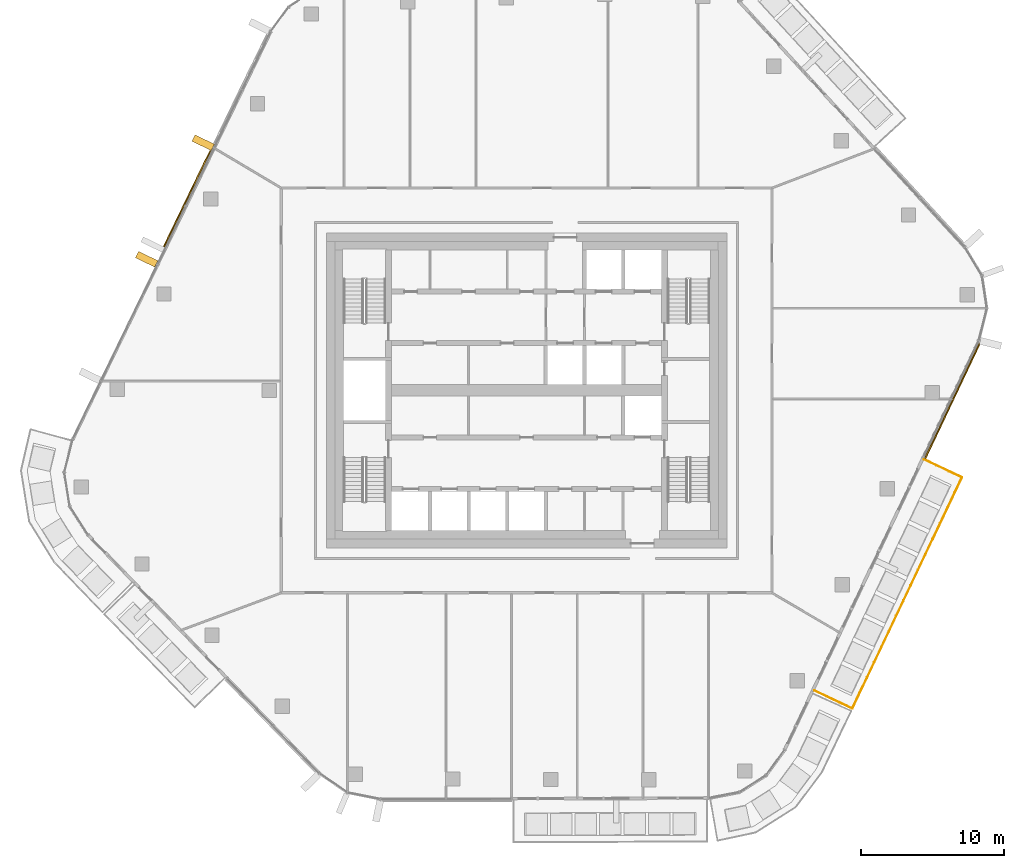
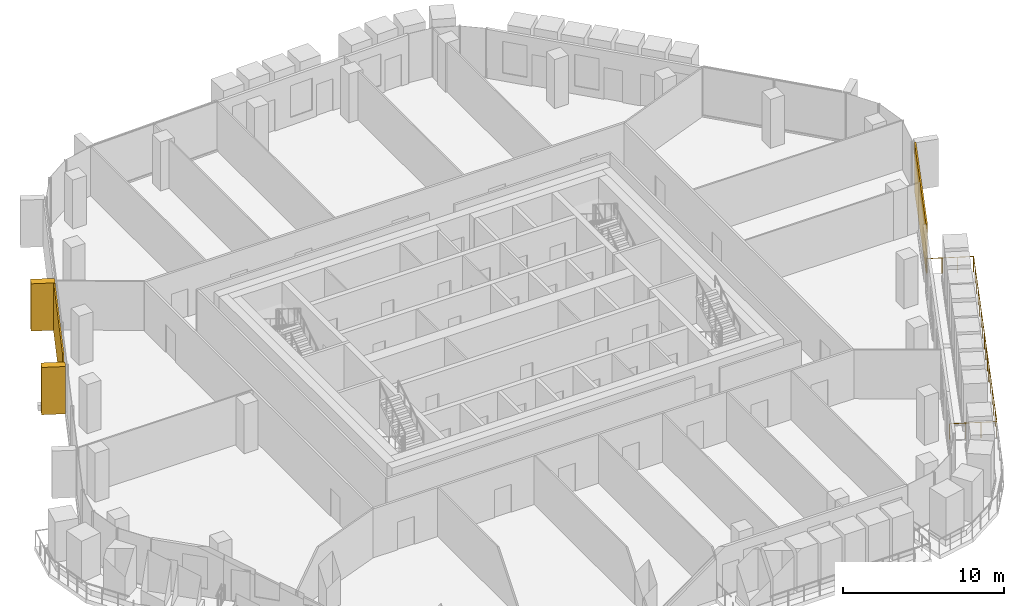
# One storey, part 21 of 24: 4 coverings, 1 railing, 2 elements without a shape of their own.
"""IFC4 building model written with IfcOpenShell, lengths in metres."""

from ifc_helpers import new_model, si_unit, direction, frame, origin, origin_2d, place, context, subcontext, project, spatial, rectangle, circle, extrude, material, layer, layer_set, material_profile, profile_set, type_object, element, aggregate, save


model = new_model("IFC4")

# Units and contexts
model_context = context("Model", 3, precision=1e-05, world=origin(), true_north=direction((0.0, 1.0)))
body_context = subcontext(model_context, "Body", "Model", "MODEL_VIEW")
ifc_project = project(units=[si_unit("LENGTHUNIT", "METRE"), si_unit("AREAUNIT", "SQUARE_METRE"), si_unit("VOLUMEUNIT", "CUBIC_METRE"), si_unit("PLANEANGLEUNIT", "RADIAN"), si_unit("MASSUNIT", "GRAM", prefix="KILO")], contexts=[model_context])

# Site, building, storey
site_placement = place(None, origin())
site = spatial("IfcSite", under=ifc_project, at=site_placement, CompositionType="ELEMENT")
building_placement = place(site_placement, origin())
building = spatial("IfcBuilding", under=site, at=building_placement, Name="Dongbaek Canopy Tower", CompositionType="ELEMENT")
storey_placement = place(building_placement, frame((0.0, 0.0, 348.800048828125)))
storey = spatial("IfcBuildingStorey", under=building, at=storey_placement, Name="L75", CompositionType="ELEMENT", Elevation=348.800048828125)

# Railing
ifc_material_1 = material(Name="Stainless steel", Category="steel")
railing_type = type_object("IfcRailingType", Name="Balcony balustrade 1200", PredefinedType="BALUSTRADE", material=ifc_material_1)
railing_placement = place(storey_placement, frame((20.115234375, -20.985107421875, 0.0)))
element("IfcRailing", 1, at=railing_placement, inside=storey, type_object=railing_type, Name="Balcony guard L75 5", PredefinedType="BALUSTRADE", context=body_context, shape_type="SweptSolid", body=[
    extrude(circle(Radius=0.02392578125, at=origin_2d()), frame((0.0, 0.0, 1.17578125), z_axis=(0.903502666033, -0.428582468694, 0.0), x_axis=(0.428582468694, 0.903502666033, 0.0)), (0.0, 0.0, 1.0), 2.93994140625),
    extrude(circle(Radius=0.02392578125, at=origin_2d()), frame((2.65625, -1.260009765625, 1.17578125), z_axis=(0.428526924871, 0.903529011521, 0.0), x_axis=(-0.903529011521, 0.428526924871, 0.0)), (0.0, 0.0, 1.0), 17.886962890625),
    extrude(circle(Radius=0.02392578125, at=origin_2d()), frame((10.3212890625, 14.9013671875, 1.17578125), z_axis=(-0.903550068304, 0.428482524809, 0.0), x_axis=(-0.428482524809, -0.903550068304, 0.0)), (0.0, 0.0, 1.0), 2.93994140625),
    extrude(circle(Radius=0.02099609375, at=origin_2d()), origin(), (0.0, 0.0, 1.0), 1.15185546875),
    extrude(circle(Radius=0.02099609375, at=origin_2d()), frame((0.885498046875, -0.419921875, 0.0)), (0.0, 0.0, 1.0), 1.15185546875),
    extrude(circle(Radius=0.02099609375, at=origin_2d()), frame((1.770751953125, -0.840087890625, 0.0)), (0.0, 0.0, 1.0), 1.15185546875),
    extrude(circle(Radius=0.02099609375, at=origin_2d()), frame((2.65625, -1.260009765625, 0.0)), (0.0, 0.0, 1.0), 1.15185546875),
    extrude(circle(Radius=0.02099609375, at=origin_2d()), frame((3.167236328125, -0.1826171875, 0.0)), (0.0, 0.0, 1.0), 1.15185546875),
    extrude(circle(Radius=0.02099609375, at=origin_2d()), frame((3.67822265625, 0.894775390625, 0.0)), (0.0, 0.0, 1.0), 1.15185546875),
    extrude(circle(Radius=0.02099609375, at=origin_2d()), frame((4.189208984375, 1.97216796875, 0.0)), (0.0, 0.0, 1.0), 1.15185546875),
    extrude(circle(Radius=0.02099609375, at=origin_2d()), frame((4.7001953125, 3.0498046875, 0.0)), (0.0, 0.0, 1.0), 1.15185546875),
    extrude(circle(Radius=0.02099609375, at=origin_2d()), frame((5.211181640625, 4.127197265625, 0.0)), (0.0, 0.0, 1.0), 1.15185546875),
    extrude(circle(Radius=0.02099609375, at=origin_2d()), frame((5.72216796875, 5.20458984375, 0.0)), (0.0, 0.0, 1.0), 1.15185546875),
    extrude(circle(Radius=0.02099609375, at=origin_2d()), frame((6.233154296875, 6.281982421875, 0.0)), (0.0, 0.0, 1.0), 1.15185546875),
    extrude(circle(Radius=0.02099609375, at=origin_2d()), frame((6.744384765625, 7.359375, 0.0)), (0.0, 0.0, 1.0), 1.15185546875),
    extrude(circle(Radius=0.02099609375, at=origin_2d()), frame((7.25537109375, 8.436767578125, 0.0)), (0.0, 0.0, 1.0), 1.15185546875),
    extrude(circle(Radius=0.02099609375, at=origin_2d()), frame((7.766357421875, 9.51416015625, 0.0)), (0.0, 0.0, 1.0), 1.15185546875),
    extrude(circle(Radius=0.02099609375, at=origin_2d()), frame((8.27734375, 10.591552734375, 0.0)), (0.0, 0.0, 1.0), 1.15185546875),
    extrude(circle(Radius=0.02099609375, at=origin_2d()), frame((8.788330078125, 11.669189453125, 0.0)), (0.0, 0.0, 1.0), 1.15185546875),
    extrude(circle(Radius=0.02099609375, at=origin_2d()), frame((9.29931640625, 12.74658203125, 0.0)), (0.0, 0.0, 1.0), 1.15185546875),
    extrude(circle(Radius=0.02099609375, at=origin_2d()), frame((9.810302734375, 13.823974609375, 0.0)), (0.0, 0.0, 1.0), 1.15185546875),
    extrude(circle(Radius=0.02099609375, at=origin_2d()), frame((10.3212890625, 14.9013671875, 0.0)), (0.0, 0.0, 1.0), 1.15185546875),
    extrude(circle(Radius=0.02099609375, at=origin_2d()), frame((9.435791015625, 15.3212890625, 0.0)), (0.0, 0.0, 1.0), 1.15185546875),
    extrude(circle(Radius=0.02099609375, at=origin_2d()), frame((8.55029296875, 15.7412109375, 0.0)), (0.0, 0.0, 1.0), 1.15185546875),
    extrude(circle(Radius=0.02099609375, at=origin_2d()), frame((7.664794921875, 16.1611328125, 0.0)), (0.0, 0.0, 1.0), 1.15185546875),
])

# Curtain wall, covering
ifc_material_2 = material(Name="Aluminium 6063-T6 pale anodised", Category="aluminium")
ifc_layer_1 = layer(ifc_material_2, 0.199951171875)
ifc_layer_set_1 = layer_set([ifc_layer_1], Name="CW-1 unitised tower curtain wall")
curtain_wall_type = type_object("IfcCurtainWallType", Name="CW-1 unitised tower curtain wall", PredefinedType="NOTDEFINED", material=ifc_layer_set_1)
curtain_wall_1_placement = place(storey_placement, origin())
curtain_wall_1 = element("IfcCurtainWall", 2, at=curtain_wall_1_placement, inside=storey, type_object=curtain_wall_type, Name="CW-1 curtain wall F5.1", PredefinedType="NOTDEFINED")
ifc_material_3 = material(Name="Perforated aluminium 6063-T6 pale metal screen", Category="aluminium")
ifc_layer_2 = layer(ifc_material_3, 0.10009765625)
ifc_layer_set_2 = layer_set([ifc_layer_2], Name="Facet screen FS1 100 pale metal")
covering_type_1 = type_object("IfcCoveringType", Name="Facet screen FS1 100 pale metal", PredefinedType="CLADDING", material=ifc_layer_set_2)
covering_1_placement = place(storey_placement, frame((29.780029296875, -0.71435546875, 0.0), z_axis=(0.0, 0.0, 1.0), x_axis=(0.428522014784, 0.903531340267, 0.0)))
covering_1 = element("IfcCovering", 3, at=covering_1_placement, type_object=covering_type_1, Name="Facet screen L75 F5", PredefinedType="CLADDING", context=body_context, shape_type="SweptSolid", body=[
    extrude(rectangle(XDim=8.92041015625, YDim=0.10009765625, at=origin_2d()), origin(), (0.0, 0.0, 1.0), 3.699951171875),
])
aggregate(curtain_wall_1, [covering_1])

# Curtain wall, coverings
curtain_wall_2_placement = place(storey_placement, origin())
curtain_wall_2 = element("IfcCurtainWall", 4, at=curtain_wall_2_placement, inside=storey, type_object=curtain_wall_type, Name="CW-1 curtain wall F2.1", PredefinedType="NOTDEFINED")
covering_2_placement = place(storey_placement, frame((-23.775146484375, 13.304931640625, 0.0), z_axis=(0.0, 0.0, 1.0), x_axis=(-0.436790798164, -0.899563115429, 0.0)))
covering_2 = element("IfcCovering", 5, at=covering_2_placement, type_object=covering_type_1, Name="Facet screen L75 F2", PredefinedType="CLADDING", context=body_context, shape_type="SweptSolid", body=[
    extrude(rectangle(XDim=7.656005859375, YDim=0.10009765625, at=origin_2d()), origin(), (0.0, 0.0, 1.0), 3.699951171875),
])
ifc_material_4 = material(Name="Aluminium 6063-T6 pale metal fin", Category="aluminium")
ifc_material_profile = material_profile(ifc_material_4, rectangle(XDim=1.5, YDim=0.5, at=origin_2d()), Name="Fin FN1 500 x 1500 pale metal")
ifc_profile_set = profile_set([ifc_material_profile], Name="Aluminium 6063-T6 pale metal fin")
covering_type_2 = type_object("IfcCoveringType", Name="Fin FN1 500 x 1500 pale metal", PredefinedType="CLADDING", material=ifc_profile_set)
covering_3_placement = place(storey_placement, frame((-22.609619140625, 17.31689453125, 0.119873046875), z_axis=(0.0, 0.0, 1.0), x_axis=(-0.899562865898, 0.436791312067, 0.0)))
covering_3 = element("IfcCovering", 6, at=covering_3_placement, type_object=covering_type_2, Name="Fin F2.1.3", PredefinedType="CLADDING", context=body_context, shape_type="SweptSolid", body=[
    extrude(rectangle(XDim=1.5, YDim=0.5, at=origin_2d()), origin(), (0.0, 0.0, 1.0), 3.580078125),
])
covering_4_placement = place(storey_placement, frame((-26.564453125, 9.172119140625, 0.119873046875), z_axis=(0.0, 0.0, 1.0), x_axis=(-0.899562865898, 0.436791312067, 0.0)))
covering_4 = element("IfcCovering", 7, at=covering_4_placement, type_object=covering_type_2, Name="Fin F2.1.5", PredefinedType="CLADDING", context=body_context, shape_type="SweptSolid", body=[
    extrude(rectangle(XDim=1.5, YDim=0.5, at=origin_2d()), origin(), (0.0, 0.0, 1.0), 3.580078125),
])
aggregate(curtain_wall_2, [covering_3, covering_4, covering_2])

save(model, "model.ifc")
